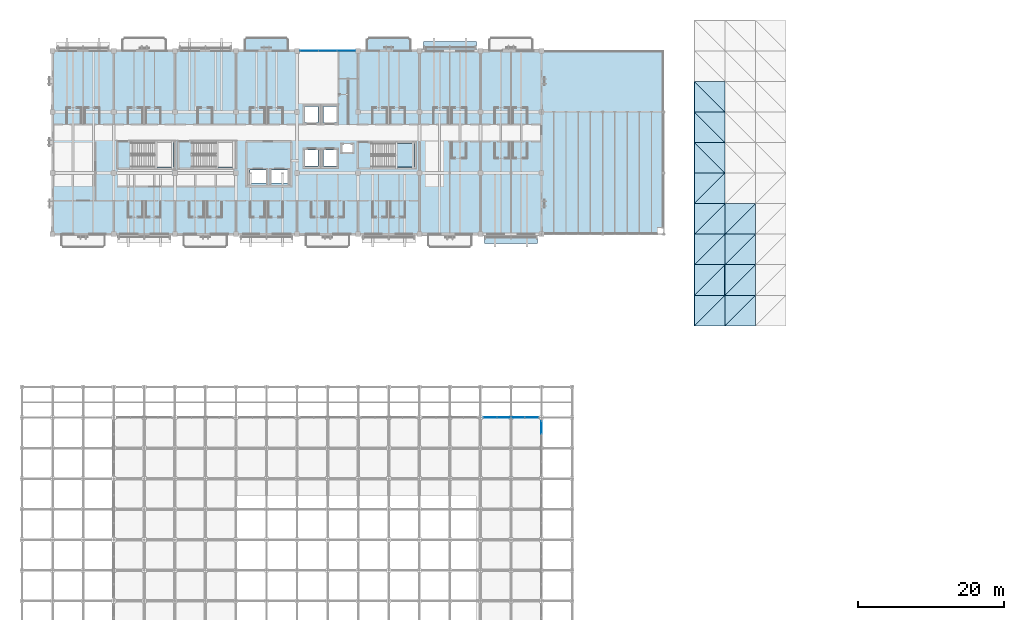
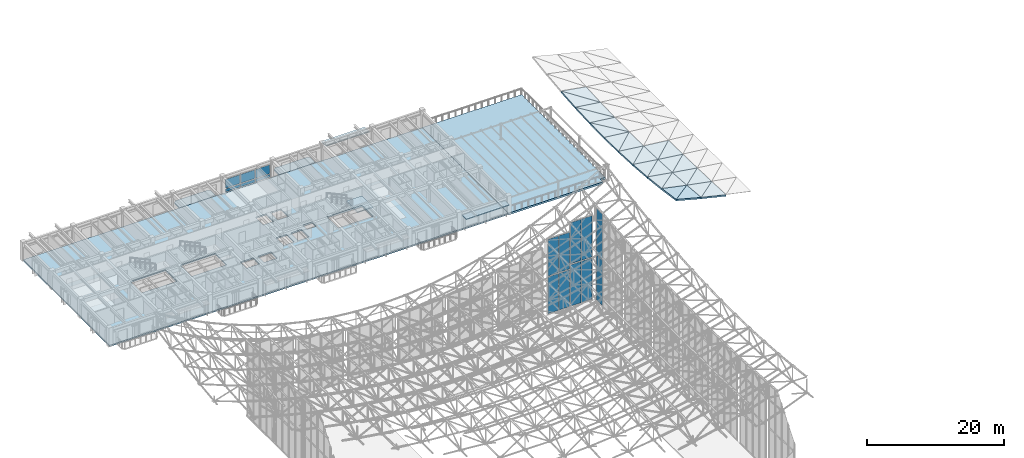
# One storey, part 63 of 93: 29 slabs, 18 plates, 7 elements without a shape of their own.
"""IFC4 building model written with IfcOpenShell, lengths in metres."""

from ifc_helpers import new_model, si_unit, direction, frame, origin, origin_2d, place, context, subcontext, project, spatial, polyline, rectangle, outline, extrude, material, layer, layer_set, type_object, element, aggregate, save


model = new_model("IFC4")

# Units and contexts
model_context = context("Model", 3, precision=1e-05, world=origin(), true_north=direction((0.0, 1.0)))
body_context = subcontext(model_context, "Body", "Model", "MODEL_VIEW")
ifc_project = project(units=[si_unit("LENGTHUNIT", "METRE"), si_unit("AREAUNIT", "SQUARE_METRE"), si_unit("VOLUMEUNIT", "CUBIC_METRE"), si_unit("PLANEANGLEUNIT", "RADIAN"), si_unit("MASSUNIT", "GRAM", prefix="KILO")], contexts=[model_context])

# Site, building, storey
site_placement = place(None, origin())
site = spatial("IfcSite", under=ifc_project, at=site_placement, CompositionType="ELEMENT")
building_placement = place(site_placement, origin())
building = spatial("IfcBuilding", under=site, at=building_placement, Name="Cumbredor Promenade Congress Hotel", CompositionType="ELEMENT")
storey_placement = place(building_placement, frame((0.0, 0.0, 21.840087890625)))
storey = spatial("IfcBuildingStorey", under=building, at=storey_placement, Name="L06", CompositionType="ELEMENT", Elevation=21.840087890625)

# Slabs
ifc_material_1 = material(Name="Concrete C40/50", Category="concrete")
ifc_layer_1 = layer(ifc_material_1, 0.215087890625, Name="Concrete C40/50", Category="concrete")
ifc_layer_set_1 = layer_set([ifc_layer_1], Name="Concrete C40/50")
slab_type_1 = type_object("IfcSlabType", Name="Cantilevered Guestroom Balcony Slab 215mm", PredefinedType="FLOOR", material=ifc_layer_set_1)
slab_1_placement = place(storey_placement, frame((0.0, 0.0, -0.215087890625)))
element("IfcSlab", 1, at=slab_1_placement, inside=storey, type_object=slab_type_1, Name="L06 Cantilevered Guestroom Veranda Balcony 035", PredefinedType="FLOOR", context=body_context, shape_type="SweptSolid", body=[
    extrude(outline(polyline([(26.35009765625, 117.60009765625), (32.449951171875, 117.60009765625), (32.449951171875, 119.10009765625), (32.10009765625, 119.449951171875), (26.699951171875, 119.449951171875), (26.35009765625, 119.10009765625), (26.35009765625, 117.60009765625)])), origin(), (0.0, 0.0, 1.0), 0.215087890625),
])
slab_2_placement = place(storey_placement, frame((0.0, 0.0, -0.215087890625)))
element("IfcSlab", 2, at=slab_2_placement, inside=storey, type_object=slab_type_1, Name="L06 Cantilevered Guestroom Veranda Balcony 036", PredefinedType="FLOOR", context=body_context, shape_type="SweptSolid", body=[
    extrude(outline(polyline([(43.14990234375, 117.60009765625), (49.25, 117.60009765625), (49.25, 119.10009765625), (48.89990234375, 119.449951171875), (43.5, 119.449951171875), (43.14990234375, 119.10009765625), (43.14990234375, 117.60009765625)])), origin(), (0.0, 0.0, 1.0), 0.215087890625),
])
ifc_layer_2 = layer(ifc_material_1, 0.25, Name="Concrete C40/50", Category="concrete")
ifc_layer_set_2 = layer_set([ifc_layer_2], Name="Concrete C40/50")
slab_type_2 = type_object("IfcSlabType", Name="Catenary Space Frame Roof Deck 250mm", PredefinedType="ROOF", material=ifc_layer_set_2)
slab_3_placement = place(storey_placement, frame((88.199951171875, 79.800048828125, 2.760009765625), z_axis=(0.254688053417, 0.088721003223, 0.9629447435), x_axis=(0.966757134539, 0.0, -0.255696387964)))
element("IfcSlab", 3, at=slab_3_placement, inside=storey, type_object=slab_type_2, Name="Pre-Function and Breakout Meeting Forum Sweeping Roof Deck Facet 1.1.1", PredefinedType="ROOF", context=body_context, shape_type="SweptSolid", body=[
    extrude(outline(polyline([(0.0, 0.0), (4.344370495779188, 0.0), (4.4433155091882774, 4.216579183316319), (0.0, 0.0)])), origin(), (0.0, 0.0, -1.0), 0.25),
])
slab_4_placement = place(storey_placement, frame((88.199951171875, 79.800048828125, 2.760009765625), z_axis=(0.204288009474, 0.141165942599, 0.96867878362), x_axis=(0.685642645018, 0.685642645018, -0.244516516142)))
element("IfcSlab", 4, at=slab_4_placement, inside=storey, type_object=slab_type_2, Name="Pre-Function and Breakout Meeting Forum Sweeping Roof Deck Facet 1.1.2", PredefinedType="ROOF", context=body_context, shape_type="SweptSolid", body=[
    extrude(outline(polyline([(0.0, 0.0), (6.125568767336597, 2.7755575615628914e-17), (3.029324543019526, 2.9727766098774815), (0.0, 0.0)])), origin(), (0.0, 0.0, -1.0), 0.25),
])
slab_5_placement = place(storey_placement, frame((88.199951171875, 84.0, 2.14794921875), z_axis=(0.205848039057, 0.07001556786, 0.976076024228), x_axis=(0.978477306539, 0.0, -0.206354453765)))
element("IfcSlab", 5, at=slab_5_placement, inside=storey, type_object=slab_type_2, Name="Pre-Function and Breakout Meeting Forum Sweeping Roof Deck Facet 1.2.1", PredefinedType="ROOF", context=body_context, shape_type="SweptSolid", body=[
    extrude(outline(polyline([(0.0, 0.0), (4.292333755528742, -6.938893903907228e-18), (4.354502065085929, 4.210283633899335), (0.0, 0.0)])), origin(), (0.0, 0.0, -1.0), 0.25),
])
slab_6_placement = place(storey_placement, frame((88.199951171875, 84.0, 2.14794921875), z_axis=(0.165865904317, 0.111070918069, 0.979873335153), x_axis=(0.693395754023, 0.693395754023, -0.195971060632)))
element("IfcSlab", 6, at=slab_6_placement, inside=storey, type_object=slab_type_2, Name="Pre-Function and Breakout Meeting Forum Sweeping Roof Deck Facet 1.2.2", PredefinedType="ROOF", context=body_context, shape_type="SweptSolid", body=[
    extrude(outline(polyline([(0.0, 0.0), (6.05707656487172, -2.983724378680108e-16), (3.0055250792707677, 2.972045676931473), (0.0, 0.0)])), origin(), (0.0, 0.0, -1.0), 0.25),
])
slab_7_placement = place(storey_placement, frame((88.199951171875, 88.199951171875, 1.671875), z_axis=(0.166686715602, 0.05037235911, 0.984722379293), x_axis=(0.985974066554, 0.0, -0.166898592211)))
element("IfcSlab", 7, at=slab_7_placement, inside=storey, type_object=slab_type_2, Name="Pre-Function and Breakout Meeting Forum Sweeping Roof Deck Facet 1.3.1", PredefinedType="ROOF", context=body_context, shape_type="SweptSolid", body=[
    extrude(outline(polyline([(0.0, 0.0), (4.259697404163872, -6.938893903907228e-18), (4.295554523584214, 4.205289758154024), (0.0, 0.0)])), origin(), (0.0, 0.0, -1.0), 0.25),
])
slab_8_placement = place(storey_placement, frame((88.199951171875, 88.199951171875, 1.671875), z_axis=(0.137730817744, 0.079883874291, 0.987243024018), x_axis=(0.698670966874, 0.698670966874, -0.154005714491)))
element("IfcSlab", 8, at=slab_8_placement, inside=storey, type_object=slab_type_2, Name="Pre-Function and Breakout Meeting Forum Sweeping Roof Deck Facet 1.3.2", PredefinedType="ROOF", context=body_context, shape_type="SweptSolid", body=[
    extrude(outline(polyline([(0.0, 0.0), (6.011343495020056, -2.8449465006019636e-16), (2.9867218256097967, 2.9723015252450984), (0.0, 0.0)])), origin(), (0.0, 0.0, -1.0), 0.25),
])
slab_9_placement = place(storey_placement, frame((88.199951171875, 92.39990234375, 1.33203125), z_axis=(0.138108364252, 0.030439615851, 0.989949245927), x_axis=(0.990408193629, 0.0, -0.138172392298)))
element("IfcSlab", 9, at=slab_9_placement, inside=storey, type_object=slab_type_2, Name="Pre-Function and Breakout Meeting Forum Sweeping Roof Deck Facet 1.4.1", PredefinedType="ROOF", context=body_context, shape_type="SweptSolid", body=[
    extrude(outline(polyline([(0.0, 0.0), (4.24062643957711, 0.0), (4.258471458016032, 4.202142553729285), (0.0, 0.0)])), origin(), (0.0, 0.0, -1.0), 0.25),
])
slab_10_placement = place(storey_placement, frame((88.199951171875, 92.39990234375, 1.33203125), z_axis=(0.120633971148, 0.048181623445, 0.991527093007), x_axis=(0.702017166205, 0.702057974039, -0.119526145429)))
element("IfcSlab", 10, at=slab_10_placement, inside=storey, type_object=slab_type_2, Name="Pre-Function and Breakout Meeting Forum Sweeping Roof Deck Facet 1.4.2", PredefinedType="ROOF", context=body_context, shape_type="SweptSolid", body=[
    extrude(outline(polyline([(0.0, 0.0), (5.982690130752192, -2.42861286636753e-16), (2.973176084704218, 2.9738059923782547), (0.0, 0.0)])), origin(), (0.0, 0.0, -1.0), 0.25),
])
slab_11_placement = place(storey_placement, frame((88.199951171875, 96.60009765625, 1.1279296875), z_axis=(0.120768011453, 0.010155360734, 0.992628810814), x_axis=(0.992680000349, 0.0, -0.120774239419)))
element("IfcSlab", 11, at=slab_11_placement, inside=storey, type_object=slab_type_2, Name="Pre-Function and Breakout Meeting Forum Sweeping Roof Deck Facet 1.5.1", PredefinedType="ROOF", context=body_context, shape_type="SweptSolid", body=[
    extrude(outline(polyline([(0.0, 0.0), (4.23092151589519, -8.673617379884035e-19), (4.236111033995238, 4.200167761948639), (0.0, 0.0)])), origin(), (0.0, 0.0, -1.0), 0.25),
])
slab_12_placement = place(storey_placement, frame((88.199951171875, 96.60009765625, 1.1279296875), z_axis=(0.114896313285, 0.016108578596, 0.993246873083), x_axis=(0.704051412217, 0.704051412217, -0.092861283167)))
element("IfcSlab", 12, at=slab_12_placement, inside=storey, type_object=slab_type_2, Name="Pre-Function and Breakout Meeting Forum Sweeping Roof Deck Facet 1.5.2", PredefinedType="ROOF", context=body_context, shape_type="SweptSolid", body=[
    extrude(outline(polyline([(0.0, 0.0), (5.965404086970878, 7.632783294297951e-17), (2.963306821866968, 2.977086194715369), (0.0, 0.0)])), origin(), (0.0, 0.0, -1.0), 0.25),
])
slab_13_placement = place(storey_placement, frame((88.199951171875, 100.800048828125, 1.059814453125), z_axis=(0.114896313285, -0.016108578596, 0.993246873083), x_axis=(0.993375765148, 0.0, -0.114911223196)))
element("IfcSlab", 13, at=slab_13_placement, inside=storey, type_object=slab_type_2, Name="Pre-Function and Breakout Meeting Forum Sweeping Roof Deck Facet 1.6.1", PredefinedType="ROOF", context=body_context, shape_type="SweptSolid", body=[
    extrude(outline(polyline([(0.0, 0.0), (4.227958159668709, 0.0), (-0.007827204900328939, 4.2004961928505065), (0.0, 0.0)])), origin(), (0.0, 0.0, -1.0), 0.25),
])
slab_14_placement = place(storey_placement, frame((92.39990234375, 100.800048828125, 0.573974609375), z_axis=(0.120768011453, -0.010155360734, 0.992628810814), x_axis=(0.0, 0.999947669743, 0.010230238323)))
element("IfcSlab", 14, at=slab_14_placement, inside=storey, type_object=slab_type_2, Name="Pre-Function and Breakout Meeting Forum Sweeping Roof Deck Facet 1.6.2", PredefinedType="ROOF", context=body_context, shape_type="SweptSolid", body=[
    extrude(outline(polyline([(0.0, 0.0), (4.2001709679024675, 0.0), (4.205398479819104, 4.230918286469737), (0.0, 0.0)])), origin(), (0.0, 0.0, -1.0), 0.25),
])
slab_15_placement = place(storey_placement, frame((88.199951171875, 105.0, 1.1279296875), z_axis=(0.120633954869, -0.048184417712, 0.991526959201), x_axis=(0.992680000349, 0.0, -0.120774239419)))
element("IfcSlab", 15, at=slab_15_placement, inside=storey, type_object=slab_type_2, Name="Pre-Function and Breakout Meeting Forum Sweeping Roof Deck Facet 1.7.1", PredefinedType="ROOF", context=body_context, shape_type="SweptSolid", body=[
    extrude(outline(polyline([(0.0, 0.0), (4.23092151589519, 3.469446951953614e-18), (-0.024650210975228543, 4.204835271571053), (0.0, 0.0)])), origin(), (0.0, 0.0, -1.0), 0.25),
])
slab_16_placement = place(storey_placement, frame((92.39990234375, 105.0, 0.616943359375), z_axis=(0.138108356813, -0.030441383648, 0.989949192605), x_axis=(0.0, 0.999527539936, 0.030735922143)))
element("IfcSlab", 16, at=slab_16_placement, inside=storey, type_object=slab_type_2, Name="Pre-Function and Breakout Meeting Forum Sweeping Roof Deck Facet 1.7.2", PredefinedType="ROOF", context=body_context, shape_type="SweptSolid", body=[
    extrude(outline(polyline([(0.0, 0.0), (4.201936419025492, 0.0), (4.219945748406156, 4.240588197891383), (0.0, 0.0)])), origin(), (0.0, 0.0, -1.0), 0.25),
])
slab_17_placement = place(storey_placement, frame((88.199951171875, 109.199951171875, 1.33203125), z_axis=(0.137730817744, -0.079883874291, 0.987243024018), x_axis=(0.990408193629, 0.0, -0.138172392298)))
element("IfcSlab", 17, at=slab_17_placement, inside=storey, type_object=slab_type_2, Name="Pre-Function and Breakout Meeting Forum Sweeping Roof Deck Facet 1.8.1", PredefinedType="ROOF", context=body_context, shape_type="SweptSolid", body=[
    extrude(outline(polyline([(0.0, 0.0), (4.24062643957711, -6.938893903907228e-18), (-0.0469570239451421, 4.2134165066428535), (0.0, 0.0)])), origin(), (0.0, 0.0, -1.0), 0.25),
])
slab_18_placement = place(storey_placement, frame((92.39990234375, 109.199951171875, 0.74609375), z_axis=(0.166686715602, -0.05037235911, 0.984722379293), x_axis=(0.0, 0.998694202987, 0.051087071943)))
element("IfcSlab", 18, at=slab_18_placement, inside=storey, type_object=slab_type_2, Name="Pre-Function and Breakout Meeting Forum Sweeping Roof Deck Facet 1.8.2", PredefinedType="ROOF", context=body_context, shape_type="SweptSolid", body=[
    extrude(outline(polyline([(0.0, 0.0), (4.205442626293723, 6.938893903907228e-18), (4.241762341502925, 4.259542563859124), (0.0, 0.0)])), origin(), (0.0, 0.0, -1.0), 0.25),
])
slab_19_placement = place(storey_placement, frame((92.39990234375, 79.800048828125, 1.649169921875), z_axis=(0.232470169214, 0.042475152888, 0.971675605237), x_axis=(0.972553311783, 0.0, -0.232680157597)))
element("IfcSlab", 19, at=slab_19_placement, inside=storey, type_object=slab_type_2, Name="Pre-Function and Breakout Meeting Forum Sweeping Roof Deck Facet 2.1.1", PredefinedType="ROOF", context=body_context, shape_type="SweptSolid", body=[
    extrude(outline(polyline([(0.0, 0.0), (4.318730152487521, 0.0), (4.3614487751713575, 4.203744953068543), (0.0, 0.0)])), origin(), (0.0, 0.0, -1.0), 0.25),
])
slab_20_placement = place(storey_placement, frame((92.39990234375, 79.800048828125, 1.649169921875), z_axis=(0.186682339101, 0.090133630055, 0.978276869297), x_axis=(0.693383800816, 0.693343497177, -0.196198113367)))
element("IfcSlab", 20, at=slab_20_placement, inside=storey, type_object=slab_type_2, Name="Pre-Function and Breakout Meeting Forum Sweeping Roof Deck Facet 2.1.2", PredefinedType="ROOF", context=body_context, shape_type="SweptSolid", body=[
    extrude(outline(polyline([(0.0, 0.0), (6.057533082773299, -6.938893903907228e-17), (2.98793022256394, 2.9768444887067997), (0.0, 0.0)])), origin(), (0.0, 0.0, -1.0), 0.25),
])
slab_21_placement = place(storey_placement, frame((92.39990234375, 84.0, 1.26220703125), z_axis=(0.187340817079, 0.033384327946, 0.981727510516), x_axis=(0.982275042442, 0.0, -0.187445301345)))
element("IfcSlab", 21, at=slab_21_placement, inside=storey, type_object=slab_type_2, Name="Pre-Function and Breakout Meeting Forum Sweeping Roof Deck Facet 2.2.1", PredefinedType="ROOF", context=body_context, shape_type="SweptSolid", body=[
    extrude(outline(polyline([(0.0, 0.0), (4.2759870006057685, 0.0), (4.302758363224594, 4.202293580871758), (0.0, 0.0)])), origin(), (0.0, 0.0, -1.0), 0.25),
])
slab_22_placement = place(storey_placement, frame((92.39990234375, 84.0, 1.26220703125), z_axis=(0.150961422777, 0.070727875635, 0.986006194931), x_axis=(0.698356559119, 0.698315966434, -0.157012507014)))
element("IfcSlab", 22, at=slab_22_placement, inside=storey, type_object=slab_type_2, Name="Pre-Function and Breakout Meeting Forum Sweeping Roof Deck Facet 2.2.2", PredefinedType="ROOF", context=body_context, shape_type="SweptSolid", body=[
    extrude(outline(polyline([(0.0, 0.0), (6.01439946063904, -3.469446951953614e-17), (2.980196045951175, 2.9746906905241035), (0.0, 0.0)])), origin(), (0.0, 0.0, -1.0), 0.25),
])
slab_23_placement = place(storey_placement, frame((92.39990234375, 88.199951171875, 0.9609375), z_axis=(0.151296799152, 0.024011290155, 0.988196709421), x_axis=(0.98848170114, 0.0, -0.151340432504)))
element("IfcSlab", 23, at=slab_23_placement, inside=storey, type_object=slab_type_2, Name="Pre-Function and Breakout Meeting Forum Sweeping Roof Deck Facet 2.3.1", PredefinedType="ROOF", context=body_context, shape_type="SweptSolid", body=[
    extrude(outline(polyline([(0.0, 0.0), (4.249138155672779, 0.0), (4.264582565044554, 4.201162419891318), (0.0, 0.0)])), origin(), (0.0, 0.0, -1.0), 0.25),
])
slab_24_placement = place(storey_placement, frame((92.39990234375, 88.199951171875, 0.9609375), z_axis=(0.12509443609, 0.05068577478, 0.990849299487), x_axis=(0.701628328637, 0.701587545777, -0.124469289642)))
element("IfcSlab", 24, at=slab_24_placement, inside=storey, type_object=slab_type_2, Name="Pre-Function and Breakout Meeting Forum Sweeping Roof Deck Facet 2.3.2", PredefinedType="ROOF", context=body_context, shape_type="SweptSolid", body=[
    extrude(outline(polyline([(0.0, 0.0), (5.986353659147534, 4.718447854656915e-16), (2.9733748840059078, 2.9740190789924514), (0.0, 0.0)])), origin(), (0.0, 0.0, -1.0), 0.25),
])
slab_25_placement = place(storey_placement, frame((92.39990234375, 92.39990234375, 0.74609375), z_axis=(0.125242417907, 0.014415563755, 0.992021435393), x_axis=(0.992124526693, 0.0, -0.125255433154)))
element("IfcSlab", 25, at=slab_25_placement, inside=storey, type_object=slab_type_2, Name="Pre-Function and Breakout Meeting Forum Sweeping Roof Deck Facet 2.4.1", PredefinedType="ROOF", context=body_context, shape_type="SweptSolid", body=[
    extrude(outline(polyline([(0.0, 0.0), (4.233536415535484, 8.673617379884035e-19), (4.241181400469184, 4.200631798628725), (0.0, 0.0)])), origin(), (0.0, 0.0, -1.0), 0.25),
])
slab_26_placement = place(storey_placement, frame((92.39990234375, 92.39990234375, 0.74609375), z_axis=(0.109321397099, 0.030549930832, 0.993536880977), x_axis=(0.703629008427, 0.703629008427, -0.099057745781)))
element("IfcSlab", 26, at=slab_26_placement, inside=storey, type_object=slab_type_2, Name="Pre-Function and Breakout Meeting Forum Sweeping Roof Deck Facet 2.4.2", PredefinedType="ROOF", context=body_context, shape_type="SweptSolid", body=[
    extrude(outline(polyline([(0.0, 0.0), (5.969332222228593, 0.0), (2.968172609497492, 2.9746044857719176), (0.0, 0.0)])), origin(), (0.0, 0.0, -1.0), 0.25),
])

# Curtain wall, plates
ifc_material_2 = material(Name="Thermally broken anodized aluminium and low-E glass", Category="aluminium")
curtain_wall_type_1 = type_object("IfcCurtainWallType", Name="Stepped Pavilion Clerestory Curtain Wall CW-06", PredefinedType="NOTDEFINED", material=ifc_material_2)
curtain_wall_1_placement = place(storey_placement, origin())
curtain_wall_1 = element("IfcCurtainWall", 27, at=curtain_wall_1_placement, inside=storey, type_object=curtain_wall_type_1, Name="Plenary Congress Hall N Glazed Clerestory 13", PredefinedType="NOTDEFINED")
ifc_material_3 = material(Name="Laminated low-E solar-control glass", Category="glass")
ifc_layer_3 = layer(ifc_material_3, 0.031982421875, Name="Laminated low-E solar-control glass", Category="glass")
ifc_layer_set_3 = layer_set([ifc_layer_3], Name="Laminated low-E solar-control glass")
plate_type_1 = type_object("IfcPlateType", Name="Clerestory Glazed Vision Panel PNL-07", PredefinedType="CURTAIN_PANEL", material=ifc_layer_set_3)
plate_1_placement = place(storey_placement, frame((60.169921875, 67.199951171875, 0.169921875), z_axis=(0.0, 0.0, 1.0), x_axis=(1.0, 0.0, 0.0)))
plate_1 = element("IfcPlate", 28, at=plate_1_placement, type_object=plate_type_1, Name="Plenary Congress Hall N Glazed Clerestory 13 Glazing Panel 1.1", PredefinedType="CURTAIN_PANEL", context=body_context, shape_type="SweptSolid", body=[
    extrude(rectangle(XDim=1.77490234375, YDim=0.031982421875, at=origin_2d()), origin(), (0.0, 0.0, 1.0), 6.52001953125),
])
plate_2_placement = place(storey_placement, frame((60.169921875, 67.199951171875, 6.8701171875), z_axis=(0.0, 0.0, 1.0), x_axis=(1.0, 0.0, 0.0)))
plate_2 = element("IfcPlate", 29, at=plate_2_placement, type_object=plate_type_1, Name="Plenary Congress Hall N Glazed Clerestory 13 Glazing Panel 1.2", PredefinedType="CURTAIN_PANEL", context=body_context, shape_type="SweptSolid", body=[
    extrude(rectangle(XDim=1.77490234375, YDim=0.031982421875, at=origin_2d()), origin(), (0.0, 0.0, 1.0), 6.530029296875),
])
plate_3_placement = place(storey_placement, frame((62.030029296875, 67.199951171875, 0.169921875), z_axis=(0.0, 0.0, 1.0), x_axis=(1.0, 0.0, 0.0)))
plate_3 = element("IfcPlate", 30, at=plate_3_placement, type_object=plate_type_1, Name="Plenary Congress Hall N Glazed Clerestory 13 Glazing Panel 2.1", PredefinedType="CURTAIN_PANEL", context=body_context, shape_type="SweptSolid", body=[
    extrude(rectangle(XDim=1.77490234375, YDim=0.031982421875, at=origin_2d()), origin(), (0.0, 0.0, 1.0), 6.52001953125),
])
plate_4_placement = place(storey_placement, frame((62.030029296875, 67.199951171875, 6.8701171875), z_axis=(0.0, 0.0, 1.0), x_axis=(1.0, 0.0, 0.0)))
plate_4 = element("IfcPlate", 31, at=plate_4_placement, type_object=plate_type_1, Name="Plenary Congress Hall N Glazed Clerestory 13 Glazing Panel 2.2", PredefinedType="CURTAIN_PANEL", context=body_context, shape_type="SweptSolid", body=[
    extrude(rectangle(XDim=1.77490234375, YDim=0.031982421875, at=origin_2d()), origin(), (0.0, 0.0, 1.0), 6.530029296875),
])
aggregate(curtain_wall_1, [plate_1, plate_2, plate_3, plate_4])

curtain_wall_2_placement = place(storey_placement, origin())
curtain_wall_2 = element("IfcCurtainWall", 32, at=curtain_wall_2_placement, inside=storey, type_object=curtain_wall_type_1, Name="Plenary Congress Hall N Glazed Clerestory 14", PredefinedType="NOTDEFINED")
plate_5_placement = place(storey_placement, frame((63.969970703125, 67.199951171875, 0.169921875), z_axis=(0.0, 0.0, 1.0), x_axis=(1.0, 0.0, 0.0)))
plate_5 = element("IfcPlate", 33, at=plate_5_placement, type_object=plate_type_1, Name="Plenary Congress Hall N Glazed Clerestory 14 Glazing Panel 1.1", PredefinedType="CURTAIN_PANEL", context=body_context, shape_type="SweptSolid", body=[
    extrude(rectangle(XDim=1.77490234375, YDim=0.031982421875, at=origin_2d()), origin(), (0.0, 0.0, 1.0), 7.35009765625),
])
plate_6_placement = place(storey_placement, frame((63.969970703125, 67.199951171875, 7.69970703125), z_axis=(0.0, 0.0, 1.0), x_axis=(1.0, 0.0, 0.0)))
plate_6 = element("IfcPlate", 34, at=plate_6_placement, type_object=plate_type_1, Name="Plenary Congress Hall N Glazed Clerestory 14 Glazing Panel 1.2", PredefinedType="CURTAIN_PANEL", context=body_context, shape_type="SweptSolid", body=[
    extrude(rectangle(XDim=1.77490234375, YDim=0.031982421875, at=origin_2d()), origin(), (0.0, 0.0, 1.0), 7.340087890625),
])
plate_7_placement = place(storey_placement, frame((65.830078125, 67.199951171875, 0.169921875), z_axis=(0.0, 0.0, 1.0), x_axis=(1.0, 0.0, 0.0)))
plate_7 = element("IfcPlate", 35, at=plate_7_placement, type_object=plate_type_1, Name="Plenary Congress Hall N Glazed Clerestory 14 Glazing Panel 2.1", PredefinedType="CURTAIN_PANEL", context=body_context, shape_type="SweptSolid", body=[
    extrude(rectangle(XDim=1.77490234375, YDim=0.031982421875, at=origin_2d()), origin(), (0.0, 0.0, 1.0), 7.35009765625),
])
plate_8_placement = place(storey_placement, frame((65.830078125, 67.199951171875, 7.69970703125), z_axis=(0.0, 0.0, 1.0), x_axis=(1.0, 0.0, 0.0)))
plate_8 = element("IfcPlate", 36, at=plate_8_placement, type_object=plate_type_1, Name="Plenary Congress Hall N Glazed Clerestory 14 Glazing Panel 2.2", PredefinedType="CURTAIN_PANEL", context=body_context, shape_type="SweptSolid", body=[
    extrude(rectangle(XDim=1.77490234375, YDim=0.031982421875, at=origin_2d()), origin(), (0.0, 0.0, 1.0), 7.340087890625),
])
aggregate(curtain_wall_2, [plate_5, plate_6, plate_7, plate_8])

curtain_wall_3_placement = place(storey_placement, origin())
curtain_wall_3 = element("IfcCurtainWall", 37, at=curtain_wall_3_placement, inside=storey, type_object=curtain_wall_type_1, Name="Plenary Congress Hall E Glazed Clerestory 14", PredefinedType="NOTDEFINED")
plate_9_placement = place(storey_placement, frame((67.199951171875, 65.830078125, 0.169921875), z_axis=(0.0, 0.0, 1.0), x_axis=(0.0, 1.0, 0.0)))
plate_9 = element("IfcPlate", 38, at=plate_9_placement, type_object=plate_type_1, Name="Plenary Congress Hall E Glazed Clerestory 14 Glazing Panel 2.1", PredefinedType="CURTAIN_PANEL", context=body_context, shape_type="SweptSolid", body=[
    extrude(rectangle(XDim=1.77490234375, YDim=0.031982421875, at=origin_2d()), origin(), (0.0, 0.0, 1.0), 8.06005859375),
])
plate_10_placement = place(storey_placement, frame((67.199951171875, 65.830078125, 8.409912109375), z_axis=(0.0, 0.0, 1.0), x_axis=(0.0, 1.0, 0.0)))
plate_10 = element("IfcPlate", 39, at=plate_10_placement, type_object=plate_type_1, Name="Plenary Congress Hall E Glazed Clerestory 14 Glazing Panel 2.2", PredefinedType="CURTAIN_PANEL", context=body_context, shape_type="SweptSolid", body=[
    extrude(rectangle(XDim=1.77490234375, YDim=0.031982421875, at=origin_2d()), origin(), (0.0, 0.0, 1.0), 8.06005859375),
])
aggregate(curtain_wall_3, [plate_9, plate_10])

# Stair, slab
stair_type = type_object("IfcStairType", Name="Protected Dog-Leg Exit Stair ST-T1 1550mm", PredefinedType="HALF_TURN_STAIR", material=ifc_material_1)
stair_placement = place(storey_placement, origin())
stair = element("IfcStair", 40, at=stair_placement, inside=storey, type_object=stair_type, Name="L06 Protected Exit Stair ST-03", PredefinedType="HALF_TURN_STAIR")
ifc_layer_4 = layer(ifc_material_1, 0.199951171875, Name="Concrete C40/50", Category="concrete")
ifc_layer_set_4 = layer_set([ifc_layer_4], Name="Concrete C40/50")
slab_type_3 = type_object("IfcSlabType", Name="Concrete Stair Landing Slab 200mm", PredefinedType="LANDING", material=ifc_layer_set_4)
slab_27_placement = place(storey_placement, frame((0.0, 0.0, 1.47998046875)))
slab_27 = element("IfcSlab", 41, at=slab_27_placement, type_object=slab_type_3, Name="ST-03 landing 1", PredefinedType="LANDING", context=body_context, shape_type="SweptSolid", body=[
    extrude(outline(polyline([(47.10009765625, 101.6201171875), (49.699951171875, 101.6201171875), (49.699951171875, 104.8701171875), (47.10009765625, 104.8701171875), (47.10009765625, 101.6201171875)])), origin(), (0.0, 0.0, 1.0), 0.199951171875),
])
aggregate(stair, [slab_27])

# Curtain wall, plates
curtain_wall_type_2 = type_object("IfcCurtainWallType", Name="Unitised Bronze Curtain Wall CW-01", PredefinedType="NOTDEFINED", material=ifc_material_2)
curtain_wall_4_placement = place(storey_placement, origin())
curtain_wall_4 = element("IfcCurtainWall", 42, at=curtain_wall_4_placement, inside=storey, type_object=curtain_wall_type_2, Name="L06 Stepped Congress Hotel Wing North Curtain Wall 5", PredefinedType="NOTDEFINED")
ifc_layer_5 = layer(ifc_material_3, 0.028076171875, Name="Laminated low-E solar-control glass", Category="glass")
ifc_layer_set_5 = layer_set([ifc_layer_5], Name="Laminated low-E solar-control glass")
plate_type_2 = type_object("IfcPlateType", Name="Glazed Vision Panel PNL-01", PredefinedType="CURTAIN_PANEL", material=ifc_layer_set_5)
plate_11_placement = place(storey_placement, frame((35.27001953125, 117.60009765625, 0.784912109375), z_axis=(0.0, 0.0, 1.0), x_axis=(1.0, 0.0, 0.0)))
plate_11 = element("IfcPlate", 43, at=plate_11_placement, type_object=plate_type_2, Name="L06 Stepped Congress Hotel Wing North Curtain Wall 5 Glazing Panel 1.2", PredefinedType="CURTAIN_PANEL", context=body_context, shape_type="SweptSolid", body=[
    extrude(rectangle(XDim=2.465087890625, YDim=0.028076171875, at=origin_2d()), origin(), (0.0, 0.0, 1.0), 1.580078125),
])
plate_12_placement = place(storey_placement, frame((37.800048828125, 117.60009765625, 0.784912109375), z_axis=(0.0, 0.0, 1.0), x_axis=(1.0, 0.0, 0.0)))
plate_12 = element("IfcPlate", 44, at=plate_12_placement, type_object=plate_type_2, Name="L06 Stepped Congress Hotel Wing North Curtain Wall 5 Glazing Panel 2.2", PredefinedType="CURTAIN_PANEL", context=body_context, shape_type="SweptSolid", body=[
    extrude(rectangle(XDim=2.465087890625, YDim=0.028076171875, at=origin_2d()), origin(), (0.0, 0.0, 1.0), 1.580078125),
])
plate_13_placement = place(storey_placement, frame((40.330078125, 117.60009765625, 0.784912109375), z_axis=(0.0, 0.0, 1.0), x_axis=(1.0, 0.0, 0.0)))
plate_13 = element("IfcPlate", 45, at=plate_13_placement, type_object=plate_type_2, Name="L06 Stepped Congress Hotel Wing North Curtain Wall 5 Glazing Panel 3.2", PredefinedType="CURTAIN_PANEL", context=body_context, shape_type="SweptSolid", body=[
    extrude(rectangle(XDim=2.465087890625, YDim=0.028076171875, at=origin_2d()), origin(), (0.0, 0.0, 1.0), 1.580078125),
])

# Curtain wall, plate
curtain_wall_type_3 = type_object("IfcCurtainWallType", Name="Solar Brise-Soleil Screen Assembly CW-07", PredefinedType="NOTDEFINED", material=ifc_material_2)
curtain_wall_5_placement = place(storey_placement, origin())
curtain_wall_5 = element("IfcCurtainWall", 46, at=curtain_wall_5_placement, inside=storey, type_object=curtain_wall_type_3, Name="L06 Hospitality Brise-Soleil Screen 091", PredefinedType="NOTDEFINED")
ifc_material_4 = material(Name="Precast concrete C40/50", Category="concrete")
ifc_layer_6 = layer(ifc_material_4, 0.14501953125, Name="Precast concrete C40/50", Category="concrete")
ifc_layer_set_6 = layer_set([ifc_layer_6], Name="Precast concrete C40/50")
plate_type_3 = type_object("IfcPlateType", Name="Horizontal Precast Sun-Hood Eyebrow Plate 145mm", PredefinedType="USERDEFINED", material=ifc_layer_set_6)
plate_14_placement = place(storey_placement, frame((63.0, 91.802490234375, 2.333984375), z_axis=(0.0, 0.0, 1.0), x_axis=(1.0, 0.0, 0.0)))
plate_14 = element("IfcPlate", 47, at=plate_14_placement, type_object=plate_type_3, Name="L06 Horizontal Sun-Hood Eyebrow 091", ObjectType="SUN HOOD", PredefinedType="USERDEFINED", context=body_context, shape_type="SweptSolid", body=[
    extrude(rectangle(XDim=7.298095703125, YDim=1.35498046875, at=origin_2d()), origin(), (0.0, 0.0, 1.0), 0.14501953125),
])
aggregate(curtain_wall_5, [plate_14])

curtain_wall_6_placement = place(storey_placement, origin())
curtain_wall_6 = element("IfcCurtainWall", 48, at=curtain_wall_6_placement, inside=storey, type_object=curtain_wall_type_3, Name="L06 Hospitality Brise-Soleil Screen 094", PredefinedType="NOTDEFINED")
plate_15_placement = place(storey_placement, frame((54.60009765625, 118.191162109375, 2.333984375), z_axis=(0.0, 0.0, 1.0), x_axis=(1.0, 0.0, 0.0)))
plate_15 = element("IfcPlate", 49, at=plate_15_placement, type_object=plate_type_3, Name="L06 Horizontal Sun-Hood Eyebrow 094", ObjectType="SUN HOOD", PredefinedType="USERDEFINED", context=body_context, shape_type="SweptSolid", body=[
    extrude(rectangle(XDim=7.298095703125, YDim=1.342529296875, at=origin_2d()), origin(), (0.0, 0.0, 1.0), 0.14501953125),
])
aggregate(curtain_wall_6, [plate_15])

# Slab
ifc_layer_7 = layer(ifc_material_1, 0.239990234375, Name="Concrete C40/50", Category="concrete")
ifc_layer_set_7 = layer_set([ifc_layer_7], Name="Concrete C40/50")
slab_type_4 = type_object("IfcSlabType", Name="Hotel Typical Floor Slab 240mm", PredefinedType="FLOOR", material=ifc_layer_set_7)
slab_28_placement = place(storey_placement, frame((0.0, 0.0, -0.239990234375)))
element("IfcSlab", 50, at=slab_28_placement, inside=storey, type_object=slab_type_4, Name="L06 Stepped Congress Hotel Wing Floor Slab", PredefinedType="FLOOR", context=body_context, shape_type="SweptSolid", body=[
    extrude(outline(polyline([(0.0, 92.39990234375), (67.199951171875, 92.39990234375), (67.199951171875, 117.60009765625), (0.0, 117.60009765625), (0.0, 92.39990234375)]), holes=[polyline([(10.75, 101.6201171875), (16.64990234375, 101.6201171875), (16.64990234375, 104.969970703125), (10.75, 104.969970703125), (10.75, 101.6201171875)]), polyline([(19.14990234375, 101.6201171875), (25.050048828125, 101.6201171875), (25.050048828125, 104.969970703125), (19.14990234375, 104.969970703125), (19.14990234375, 101.6201171875)]), polyline([(43.800048828125, 101.6201171875), (49.699951171875, 101.6201171875), (49.699951171875, 104.8701171875), (43.800048828125, 104.8701171875), (43.800048828125, 101.6201171875)]), polyline([(27.1298828125, 99.39990234375), (29.300048828125, 99.39990234375), (29.300048828125, 101.199951171875), (27.1298828125, 101.199951171875), (27.1298828125, 99.39990234375)]), polyline([(30.10009765625, 99.39990234375), (32.27001953125, 99.39990234375), (32.27001953125, 101.199951171875), (30.10009765625, 101.199951171875), (30.10009765625, 99.39990234375)]), polyline([(34.699951171875, 107.75), (36.5, 107.75), (36.5, 109.949951171875), (34.699951171875, 109.949951171875), (34.699951171875, 107.75)]), polyline([(37.199951171875, 107.75), (39.0, 107.75), (39.0, 109.949951171875), (37.199951171875, 109.949951171875), (37.199951171875, 107.75)]), polyline([(34.699951171875, 101.75), (36.5, 101.75), (36.5, 103.949951171875), (34.699951171875, 103.949951171875), (34.699951171875, 101.75)]), polyline([(37.199951171875, 101.75), (39.0, 101.75), (39.0, 103.949951171875), (37.199951171875, 103.949951171875), (37.199951171875, 101.75)]), polyline([(39.699951171875, 103.60009765625), (41.300048828125, 103.60009765625), (41.300048828125, 104.800048828125), (39.699951171875, 104.800048828125), (39.699951171875, 103.60009765625)])]), origin(), (0.0, 0.0, 1.0), 0.239990234375),
])

# Plate
ifc_material_5 = material(Name="Thermally broken anodized aluminium", Category="aluminium")
ifc_layer_8 = layer(ifc_material_5, 0.0400390625, Name="Thermally broken anodized aluminium", Category="aluminium")
ifc_layer_set_8 = layer_set([ifc_layer_8], Name="Thermally broken anodized aluminium")
plate_type_4 = type_object("IfcPlateType", Name="Insulated Spandrel Panel PNL-05", PredefinedType="CURTAIN_PANEL", material=ifc_layer_set_8)
plate_16_placement = place(storey_placement, frame((35.27001953125, 117.60009765625, 0.135009765625), z_axis=(0.0, 0.0, 1.0), x_axis=(1.0, 0.0, 0.0)))
plate_16 = element("IfcPlate", 51, at=plate_16_placement, type_object=plate_type_4, Name="L06 Stepped Congress Hotel Wing North Curtain Wall 5 Spandrel Panel 1.1", PredefinedType="CURTAIN_PANEL", context=body_context, shape_type="SweptSolid", body=[
    extrude(rectangle(XDim=2.465087890625, YDim=0.0400390625, at=origin_2d()), origin(), (0.0, 0.0, 1.0), 0.52001953125),
])

plate_17_placement = place(storey_placement, frame((37.800048828125, 117.60009765625, 0.135009765625), z_axis=(0.0, 0.0, 1.0), x_axis=(1.0, 0.0, 0.0)))
plate_17 = element("IfcPlate", 52, at=plate_17_placement, type_object=plate_type_4, Name="L06 Stepped Congress Hotel Wing North Curtain Wall 5 Spandrel Panel 2.1", PredefinedType="CURTAIN_PANEL", context=body_context, shape_type="SweptSolid", body=[
    extrude(rectangle(XDim=2.465087890625, YDim=0.0400390625, at=origin_2d()), origin(), (0.0, 0.0, 1.0), 0.52001953125),
])

plate_18_placement = place(storey_placement, frame((40.330078125, 117.60009765625, 0.135009765625), z_axis=(0.0, 0.0, 1.0), x_axis=(1.0, 0.0, 0.0)))
plate_18 = element("IfcPlate", 53, at=plate_18_placement, type_object=plate_type_4, Name="L06 Stepped Congress Hotel Wing North Curtain Wall 5 Spandrel Panel 3.1", PredefinedType="CURTAIN_PANEL", context=body_context, shape_type="SweptSolid", body=[
    extrude(rectangle(XDim=2.465087890625, YDim=0.0400390625, at=origin_2d()), origin(), (0.0, 0.0, 1.0), 0.52001953125),
])

aggregate(curtain_wall_4, [plate_16, plate_11, plate_17, plate_12, plate_18, plate_13])

# Slab
ifc_layer_9 = layer(ifc_material_1, 0.320068359375, Name="Concrete C40/50", Category="concrete")
ifc_layer_set_9 = layer_set([ifc_layer_9], Name="Concrete C40/50")
slab_type_5 = type_object("IfcSlabType", Name="Sky Garden Planted Terrace Slab 320mm", PredefinedType="FLOOR", material=ifc_layer_set_9)
slab_29_placement = place(storey_placement, frame((0.0, 0.0, -0.320068359375)))
element("IfcSlab", 54, at=slab_29_placement, inside=storey, type_object=slab_type_5, Name="L06 Hotel Step 2 East Botanical Sky Terrace", PredefinedType="FLOOR", context=body_context, shape_type="SweptSolid", body=[
    extrude(outline(polyline([(67.199951171875, 92.39990234375), (83.14990234375, 92.39990234375), (83.14990234375, 93.25), (84.0, 93.25), (84.0, 117.60009765625), (67.199951171875, 117.60009765625), (67.199951171875, 92.39990234375)])), origin(), (0.0, 0.0, 1.0), 0.320068359375),
])

save(model, "model.ifc")
